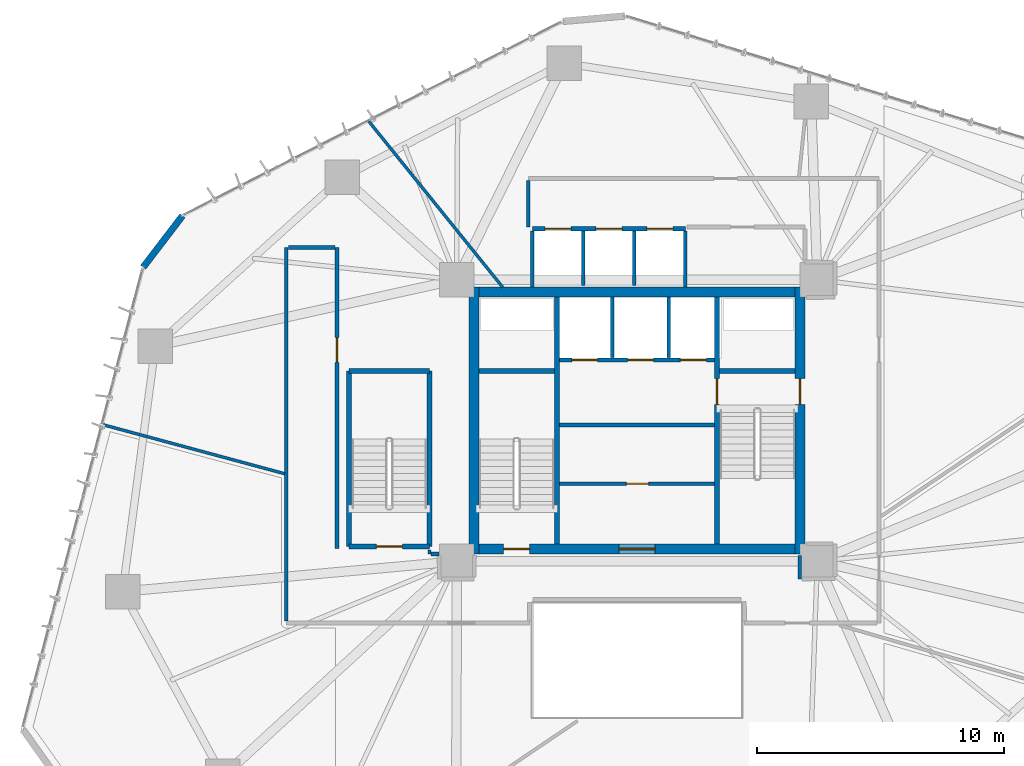
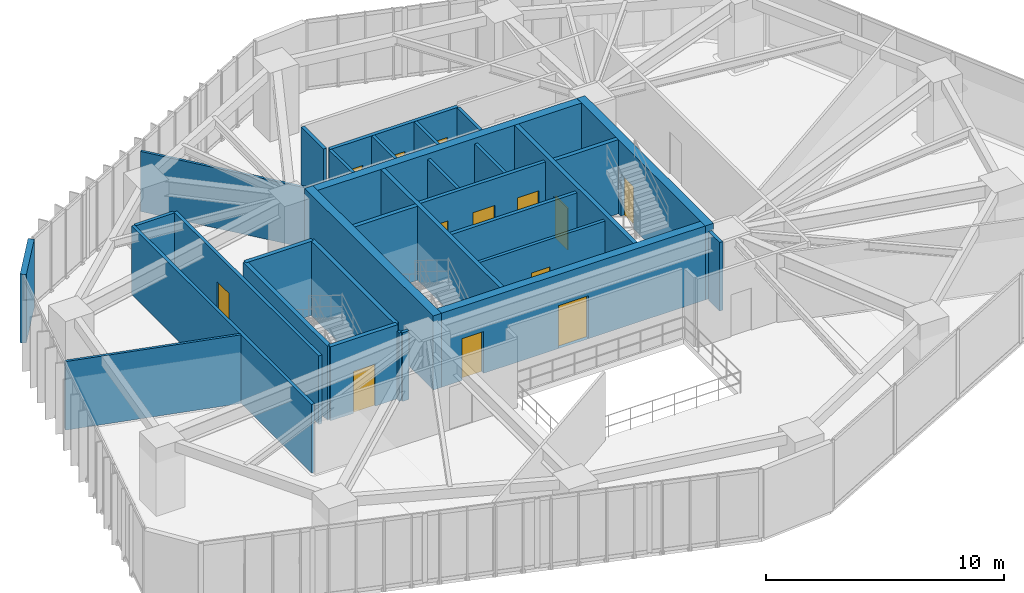
# One storey, part 19 of 24: 32 walls, 13 doors, 13 openings.
"""IFC4 building model written with IfcOpenShell, lengths in metres."""

from ifc_helpers import new_model, si_unit, direction, frame, frame_2d, origin, place, context, subcontext, project, spatial, rectangle, extrude, source, transform, mapped, material, layer, layer_set, type_object, type_shapes, element, fill, save


model = new_model("IFC4")

# Units and contexts
model_context = context("Model", 3, precision=1e-05, world=origin(), true_north=direction((0.0, 1.0)))
body_context = subcontext(model_context, "Body", "Model", "MODEL_VIEW")
ifc_project = project(units=[si_unit("LENGTHUNIT", "METRE"), si_unit("AREAUNIT", "SQUARE_METRE"), si_unit("VOLUMEUNIT", "CUBIC_METRE"), si_unit("PLANEANGLEUNIT", "RADIAN"), si_unit("MASSUNIT", "GRAM", prefix="KILO")], contexts=[model_context])

# Site, building, storey
site_placement = place(None, origin())
site = spatial("IfcSite", under=ifc_project, at=site_placement, CompositionType="ELEMENT")
building_placement = place(site_placement, origin())
building = spatial("IfcBuilding", under=site, at=building_placement, Name="Talar Marvaseh", CompositionType="ELEMENT")
storey_placement = place(building_placement, frame((0.0, 0.0, 39.199951171875)))
storey = spatial("IfcBuildingStorey", under=building, at=storey_placement, Name="L09", CompositionType="ELEMENT", Elevation=39.199951171875)

# Wall
ifc_material_1 = material(Name="Precast concrete C45/55", Category="concrete")
ifc_layer_1 = layer(ifc_material_1, 0.27001953125)
ifc_layer_set_1 = layer_set([ifc_layer_1], Name="Precast concrete C45/55")
wall_type_1 = type_object("IfcWallType", Name="Chamfered Hexagonal Corner Pier Wall Z1 270", PredefinedType="SOLIDWALL", material=ifc_layer_set_1)
wall_1_placement = place(storey_placement, frame((6.006103515625, 37.407470703125, 0.0), z_axis=(0.0, 0.0, 1.0), x_axis=(0.606990558112, 0.794709042582, 0.0)))
element("IfcWall", 1, at=wall_1_placement, inside=storey, type_object=wall_type_1, Name="L09 Chamfered Corner Limestone Pier 2", PredefinedType="SOLIDWALL", context=body_context, shape_type="SweptSolid", body=[
    extrude(rectangle(XDim=2.623291015625, YDim=0.27001953125, at=frame_2d((1.3115234375, 0.0))), origin(), (0.0, 0.0, 1.0), 3.52001953125),
])

# Wall, opening, door
ifc_material_2 = material(Name="Gypsum Board Partition Assembly")
ifc_layer_2 = layer(ifc_material_2, 0.155029296875)
ifc_layer_set_2 = layer_set([ifc_layer_2], Name="Gypsum Board Partition Assembly")
wall_type_2 = type_object("IfcWallType", Name="Corridor Fire-Rated Acoustic Partition 155", PredefinedType="PARTITIONING", material=ifc_layer_set_2)
wall_2_placement = place(storey_placement, frame((22.865966796875, 28.639892578125, 0.0), z_axis=(0.0, 0.0, 1.0), x_axis=(1.0, 0.0, 0.0)))
wall_2 = element("IfcWall", 2, at=wall_2_placement, inside=storey, type_object=wall_type_2, Name="L09 Core BOH Partition", PredefinedType="PARTITIONING", context=body_context, shape_type="SweptSolid", body=[
    extrude(rectangle(XDim=6.26806640625, YDim=0.155029296875, at=frame_2d((3.134033203125, 0.0))), origin(), (0.0, 0.0, 1.0), 3.52001953125),
])
opening_1_placement = place(wall_2_placement, frame((2.699951171875, 0.0, 0.0)))
opening_1 = element("IfcOpeningElement", 3, at=opening_1_placement, cuts=wall_2, Name="Opening DR-BOH090", PredefinedType="OPENING", context=body_context, shape_type="SweptSolid", body=[
    extrude(rectangle(XDim=0.89990234375, YDim=2.10009765625, at=frame_2d((0.449951171875, 1.050048828125))), frame((0.0, 0.08740234375, 0.0), z_axis=(0.0, -1.0, 0.0), x_axis=(1.0, 0.0, 0.0)), (0.0, 0.0, 1.0), 0.175048828125),
])
ifc_material_3 = material(Name="Fire-Rated Steel Door Leaf", Category="steel")
door_type_1 = type_object("IfcDoorType", Name="Core Back-of-House Service Door 900x2100", OperationType="NOTDEFINED", PredefinedType="DOOR", material=ifc_material_3)
shared_shape_1 = source(origin(), body_context, "Body", "SweptSolid", [
    extrude(rectangle(XDim=0.89990234375, YDim=2.10009765625, at=frame_2d((0.449951171875, 1.050048828125))), frame((0.0, 0.02490234375, 0.0), z_axis=(0.0, -1.0, 0.0), x_axis=(1.0, 0.0, 0.0)), (0.0, 0.0, 1.0), 0.050048828125),
])
type_shapes(door_type_1, [shared_shape_1])
door_1_placement = place(opening_1_placement, origin())
door_1 = element("IfcDoor", 4, at=door_1_placement, inside=storey, type_object=door_type_1, Name="L09 Store Core Central Archive Door", OperationType="SINGLE_SWING_LEFT", OverallHeight=2.10009765625, OverallWidth=0.89990234375, PredefinedType="DOOR", context=body_context, shape_type="MappedRepresentation", body=[
    mapped(shared_shape_1, transform((0.0, 0.0, 0.0), x_axis=(1.0, 0.0, 0.0), y_axis=(0.0, 1.0, 0.0), z_axis=(0.0, 0.0, 1.0), scale=1.0)),
])
fill(opening_1, door_1)

wall_3_placement = place(storey_placement, frame((13.85009765625, 38.199951171875, 0.0), z_axis=(0.0, 0.0, 1.0), x_axis=(0.0, -1.0, 0.0)))
wall_3 = element("IfcWall", 5, at=wall_3_placement, inside=storey, type_object=wall_type_2, Name="L09 Interior Partition Wall", PredefinedType="PARTITIONING", context=body_context, shape_type="SweptSolid", body=[
    extrude(rectangle(XDim=12.179931640625, YDim=0.155029296875, at=frame_2d((6.08984375, 0.0))), origin(), (0.0, 0.0, 1.0), 3.52001953125),
])
opening_2_placement = place(wall_3_placement, frame((3.644287109375, 0.0, 0.0)))
opening_2 = element("IfcOpeningElement", 6, at=opening_2_placement, cuts=wall_3, Name="Opening DR-RM100", PredefinedType="OPENING", context=body_context, shape_type="SweptSolid", body=[
    extrude(rectangle(XDim=1.0, YDim=2.14990234375, at=frame_2d((0.5, 1.074951171875))), frame((0.0, 0.08740234375, 0.0), z_axis=(0.0, -1.0, 0.0), x_axis=(1.0, 0.0, 0.0)), (0.0, 0.0, 1.0), 0.175048828125),
])
ifc_material_4 = material(Name="Acoustic Engineered Oak Timber", Category="wood")
door_type_2 = type_object("IfcDoorType", Name="Corridor Fire-Rated Gallery Door 1000x2150", OperationType="NOTDEFINED", PredefinedType="DOOR", material=ifc_material_4)
shared_shape_2 = source(origin(), body_context, "Body", "SweptSolid", [
    extrude(rectangle(XDim=1.0, YDim=2.14990234375, at=frame_2d((0.5, 1.074951171875))), frame((0.0, 0.02490234375, 0.0), z_axis=(0.0, -1.0, 0.0), x_axis=(1.0, 0.0, 0.0)), (0.0, 0.0, 1.0), 0.050048828125),
])
type_shapes(door_type_2, [shared_shape_2])
door_2_placement = place(opening_2_placement, origin())
door_2 = element("IfcDoor", 7, at=door_2_placement, inside=storey, type_object=door_type_2, Name="L09 Chamber Recital Salon Door", OperationType="SINGLE_SWING_RIGHT", OverallHeight=2.14990234375, OverallWidth=1.0, PredefinedType="DOOR", context=body_context, shape_type="MappedRepresentation", body=[
    mapped(shared_shape_2, transform((0.0, 0.0, 0.0), x_axis=(1.0, 0.0, 0.0), y_axis=(0.0, 1.0, 0.0), z_axis=(0.0, 0.0, 1.0), scale=1.0)),
])
fill(opening_2, door_2)

# Walls
wall_4_placement = place(storey_placement, frame((11.800048828125, 23.08349609375, 0.0), z_axis=(0.0, 0.0, 1.0), x_axis=(0.0, 1.0, 0.0)))
element("IfcWall", 8, at=wall_4_placement, inside=storey, type_object=wall_type_2, Name="L09 Interior Partition Wall", PredefinedType="PARTITIONING", context=body_context, shape_type="SweptSolid", body=[
    extrude(rectangle(XDim=15.116455078125, YDim=0.155029296875, at=frame_2d((7.55810546875, 0.0))), origin(), (0.0, 0.0, 1.0), 3.52001953125),
])
wall_5_placement = place(storey_placement, frame((11.883544921875, 38.199951171875, 0.0), z_axis=(0.0, 0.0, 1.0), x_axis=(1.0, 0.0, 0.0)))
element("IfcWall", 9, at=wall_5_placement, inside=storey, type_object=wall_type_2, Name="L09 Interior Partition Wall", PredefinedType="PARTITIONING", context=body_context, shape_type="SweptSolid", body=[
    extrude(rectangle(XDim=1.883056640625, YDim=0.155029296875, at=frame_2d((0.94140625, 0.0))), origin(), (0.0, 0.0, 1.0), 3.52001953125),
])
wall_6_placement = place(storey_placement, frame((17.666015625, 25.800048828125, 0.0), z_axis=(0.0, 0.0, 1.0), x_axis=(1.0, 0.0, 0.0)))
element("IfcWall", 10, at=wall_6_placement, inside=storey, type_object=wall_type_2, Name="L09 Interior Partition Wall", PredefinedType="PARTITIONING", context=body_context, shape_type="SweptSolid", body=[
    extrude(rectangle(XDim=0.319091796875, YDim=0.155029296875, at=frame_2d((0.15966796875, 0.0))), origin(), (0.0, 0.0, 1.0), 3.52001953125),
])
wall_7_placement = place(storey_placement, frame((32.5849609375, 25.72998046875, 0.0), z_axis=(0.0, 0.0, 1.0), x_axis=(0.007253695172, -0.999973691607, 0.0)))
element("IfcWall", 11, at=wall_7_placement, inside=storey, type_object=wall_type_2, Name="L09 Interior Partition Wall", PredefinedType="PARTITIONING", context=body_context, shape_type="SweptSolid", body=[
    extrude(rectangle(XDim=0.9423828125, YDim=0.155029296875, at=frame_2d((0.47119140625, 0.0))), origin(), (0.0, 0.0, 1.0), 3.52001953125),
])
wall_8_placement = place(storey_placement, frame((21.60009765625, 39.0400390625, 0.0), z_axis=(0.0, 0.0, 1.0), x_axis=(0.0, 1.0, 0.0)))
element("IfcWall", 12, at=wall_8_placement, inside=storey, type_object=wall_type_2, Name="L09 Interior Partition Wall", PredefinedType="PARTITIONING", context=body_context, shape_type="SweptSolid", body=[
    extrude(rectangle(XDim=1.87646484375, YDim=0.155029296875, at=frame_2d((0.938232421875, 0.0))), origin(), (0.0, 0.0, 1.0), 3.52001953125),
])
ifc_layer_3 = layer(ifc_material_2, 0.1201171875)
ifc_layer_set_3 = layer_set([ifc_layer_3], Name="Gypsum Board Partition Assembly")
wall_type_3 = type_object("IfcWallType", Name="Demountable Studio Room Partition 120", PredefinedType="PARTITIONING", material=ifc_layer_set_3)
wall_9_placement = place(storey_placement, frame((17.60009765625, 25.96240234375, 0.0), z_axis=(0.0, 0.0, 1.0), x_axis=(0.0, -1.0, 0.0)))
element("IfcWall", 13, at=wall_9_placement, inside=storey, type_object=wall_type_3, Name="L09 Interior Partition Wall", PredefinedType="PARTITIONING", context=body_context, shape_type="SweptSolid", body=[
    extrude(rectangle(XDim=0.1748046875, YDim=0.1201171875, at=frame_2d((0.08740234375, 0.0))), origin(), (0.0, 0.0, 1.0), 3.52001953125),
])
wall_10_placement = place(storey_placement, frame((4.361083984375, 31.03564453125, 0.0), z_axis=(0.0, 0.0, 1.0), x_axis=(0.965521586937, -0.260323001595, 0.0)))
element("IfcWall", 14, at=wall_10_placement, inside=storey, type_object=wall_type_3, Name="L09 Interior Partition Wall", PredefinedType="PARTITIONING", context=body_context, shape_type="SweptSolid", body=[
    extrude(rectangle(XDim=7.6396484375, YDim=0.1201171875, at=frame_2d((3.81982421875, 0.0))), origin(), (0.0, 0.0, 1.0), 3.52001953125),
])
wall_11_placement = place(storey_placement, frame((20.56005859375, 36.60009765625, 0.0), z_axis=(0.0, 0.0, 1.0), x_axis=(-0.628001552562, 0.778212085475, 0.0)))
element("IfcWall", 15, at=wall_11_placement, inside=storey, type_object=wall_type_3, Name="L09 Interior Partition Wall", PredefinedType="PARTITIONING", context=body_context, shape_type="SweptSolid", body=[
    extrude(rectangle(XDim=8.638671875, YDim=0.1201171875, at=frame_2d((4.3193359375, 0.0))), origin(), (0.0, 0.0, 1.0), 3.08203125),
])
ifc_layer_4 = layer(ifc_material_1, 0.14501953125)
ifc_layer_set_4 = layer_set([ifc_layer_4], Name="Precast concrete C45/55")
wall_type_4 = type_object("IfcWallType", Name="Fire-Rated Lift Divider Wall 145", PredefinedType="SOLIDWALL", material=ifc_layer_set_4)
for number, where, z_axis, x_axis, name in (
    (16, (25.0, 33.743408203125, 0.0), (0.0, 0.0, 1.0), (0.0, 1.0, 0.0), "L09 FFL-1/FFL-2 Divider"),
    (17, (27.280029296875, 33.743408203125, 0.0), (0.0, 0.0, 1.0), (0.0, 1.0, 0.0), "L09 FFL-2/SVL-1 Divider"),
):
    element("IfcWall", number, at=place(storey_placement, frame(where, z_axis=z_axis, x_axis=x_axis)), inside=storey, type_object=wall_type_4, Name=name, PredefinedType="SOLIDWALL", context=body_context, shape_type="SweptSolid", body=[
        extrude(rectangle(XDim=2.45654296875, YDim=0.14501953125, at=frame_2d((1.228271484375, 0.0))), origin(), (0.0, 0.0, 1.0), 3.52001953125),
    ])
for number, where, z_axis, x_axis, name in (
    (18, (21.760009765625, 36.60009765625, 0.0), (0.0, 0.0, 1.0), (0.0, 1.0, 0.0), "L09 Low-Rise Bank West Wall"),
    (19, (27.9599609375, 36.60009765625, 0.0), (0.0, 0.0, 1.0), (0.0, 1.0, 0.0), "L09 Low-Rise Bank East Wall"),
):
    element("IfcWall", number, at=place(storey_placement, frame(where, z_axis=z_axis, x_axis=x_axis)), inside=storey, type_object=wall_type_4, Name=name, PredefinedType="SOLIDWALL", context=body_context, shape_type="SweptSolid", body=[
        extrude(rectangle(XDim=2.266357421875, YDim=0.14501953125, at=frame_2d((1.13330078125, 0.0))), origin(), (0.0, 0.0, 1.0), 3.52001953125),
    ])
for number, where, z_axis, x_axis, name in (
    (20, (23.830078125, 36.659912109375, 0.0), (0.0, 0.0, 1.0), (0.0, 1.0, 0.0), "L09 PL-L1/PL-L2 Divider"),
    (21, (25.889892578125, 36.659912109375, 0.0), (0.0, 0.0, 1.0), (0.0, 1.0, 0.0), "L09 PL-L2/PL-L3 Divider"),
):
    element("IfcWall", number, at=place(storey_placement, frame(where, z_axis=z_axis, x_axis=x_axis)), inside=storey, type_object=wall_type_4, Name=name, PredefinedType="SOLIDWALL", context=body_context, shape_type="SweptSolid", body=[
        extrude(rectangle(XDim=2.20654296875, YDim=0.14501953125, at=frame_2d((1.103271484375, 0.0))), origin(), (0.0, 0.0, 1.0), 3.52001953125),
    ])

# Wall, openings, doors
ifc_layer_5 = layer(ifc_material_1, 0.175048828125)
ifc_layer_set_5 = layer_set([ifc_layer_5], Name="Precast concrete C45/55")
wall_type_5 = type_object("IfcWallType", Name="Fire-Rated Lift Hoistway Enclosure Wall 175", PredefinedType="SOLIDWALL", material=ifc_layer_set_5)
wall_12_placement = place(storey_placement, frame((22.860107421875, 33.64990234375, 0.0), z_axis=(0.0, 0.0, 1.0), x_axis=(1.0, 0.0, 0.0)))
wall_12 = element("IfcWall", 22, at=wall_12_placement, inside=storey, type_object=wall_type_5, Name="L09 Firefighting and Service Lift Front Wall", PredefinedType="SOLIDWALL", context=body_context, shape_type="SweptSolid", body=[
    extrude(rectangle(XDim=6.27978515625, YDim=0.175048828125, at=frame_2d((3.139892578125, 0.0))), origin(), (0.0, 0.0, 1.0), 3.52001953125),
])
opening_3_placement = place(wall_12_placement, frame((0.5, 0.0, 0.0)))
opening_3 = element("IfcOpeningElement", 23, at=opening_3_placement, cuts=wall_12, Name="Opening LD-FF1", PredefinedType="OPENING", context=body_context, shape_type="SweptSolid", body=[
    extrude(rectangle(XDim=1.050048828125, YDim=2.14990234375, at=frame_2d((0.52490234375, 1.074951171875))), frame((0.0, 0.09765625, 0.0), z_axis=(0.0, -1.0, 0.0), x_axis=(1.0, 0.0, 0.0)), (0.0, 0.0, 1.0), 0.195068359375),
])
opening_4_placement = place(wall_12_placement, frame((2.760009765625, 0.0, 0.0)))
opening_4 = element("IfcOpeningElement", 24, at=opening_4_placement, cuts=wall_12, Name="Opening LD-FF2", PredefinedType="OPENING", context=body_context, shape_type="SweptSolid", body=[
    extrude(rectangle(XDim=1.050048828125, YDim=2.14990234375, at=frame_2d((0.52490234375, 1.074951171875))), frame((0.0, 0.09765625, 0.0), z_axis=(0.0, -1.0, 0.0), x_axis=(1.0, 0.0, 0.0)), (0.0, 0.0, 1.0), 0.195068359375),
])
opening_5_placement = place(wall_12_placement, frame((4.89990234375, 0.0, 0.0)))
opening_5 = element("IfcOpeningElement", 25, at=opening_5_placement, cuts=wall_12, Name="Opening LD-SV1", PredefinedType="OPENING", context=body_context, shape_type="SweptSolid", body=[
    extrude(rectangle(XDim=1.050048828125, YDim=2.14990234375, at=frame_2d((0.52490234375, 1.074951171875))), frame((0.0, 0.09765625, 0.0), z_axis=(0.0, -1.0, 0.0), x_axis=(1.0, 0.0, 0.0)), (0.0, 0.0, 1.0), 0.195068359375),
])
ifc_material_5 = material(Name="Stainless Steel Grade 316", Category="steel")
door_type_3 = type_object("IfcDoorType", Name="Automatic Sliding Lift Landing Door 1050x2150", OperationType="NOTDEFINED", PredefinedType="DOOR", material=ifc_material_5)
shared_shape_3 = source(origin(), body_context, "Body", "SweptSolid", [
    extrude(rectangle(XDim=1.050048828125, YDim=2.14990234375, at=frame_2d((0.52490234375, 1.074951171875))), frame((0.0, 0.02490234375, 0.0), z_axis=(0.0, -1.0, 0.0), x_axis=(1.0, 0.0, 0.0)), (0.0, 0.0, 1.0), 0.050048828125),
])
type_shapes(door_type_3, [shared_shape_3])
door_3_placement = place(opening_3_placement, origin())
door_3 = element("IfcDoor", 26, at=door_3_placement, inside=storey, type_object=door_type_3, Name="L09 Lift FFL-1 Sliding Landing Door", OperationType="SLIDING_TO_LEFT", OverallHeight=2.14990234375, OverallWidth=1.050048828125, PredefinedType="DOOR", context=body_context, shape_type="MappedRepresentation", body=[
    mapped(shared_shape_3, transform((0.0, 0.0, 0.0), x_axis=(1.0, 0.0, 0.0), y_axis=(0.0, 1.0, 0.0), z_axis=(0.0, 0.0, 1.0), scale=1.0)),
])
fill(opening_3, door_3)
door_4_placement = place(opening_4_placement, origin())
door_4 = element("IfcDoor", 27, at=door_4_placement, inside=storey, type_object=door_type_3, Name="L09 Lift FFL-2 Sliding Landing Door", OperationType="SLIDING_TO_LEFT", OverallHeight=2.14990234375, OverallWidth=1.050048828125, PredefinedType="DOOR", context=body_context, shape_type="MappedRepresentation", body=[
    mapped(shared_shape_3, transform((0.0, 0.0, 0.0), x_axis=(1.0, 0.0, 0.0), y_axis=(0.0, 1.0, 0.0), z_axis=(0.0, 0.0, 1.0), scale=1.0)),
])
fill(opening_4, door_4)
door_5_placement = place(opening_5_placement, origin())
door_5 = element("IfcDoor", 28, at=door_5_placement, inside=storey, type_object=door_type_3, Name="L09 Lift SVL-1 Sliding Landing Door", OperationType="SLIDING_TO_LEFT", OverallHeight=2.14990234375, OverallWidth=1.050048828125, PredefinedType="DOOR", context=body_context, shape_type="MappedRepresentation", body=[
    mapped(shared_shape_3, transform((0.0, 0.0, 0.0), x_axis=(1.0, 0.0, 0.0), y_axis=(0.0, 1.0, 0.0), z_axis=(0.0, 0.0, 1.0), scale=1.0)),
])
fill(opening_5, door_5)

# Wall
wall_13_placement = place(storey_placement, frame((22.860107421875, 31.02001953125, 0.0), z_axis=(0.0, 0.0, 1.0), x_axis=(1.0, 0.0, 0.0)))
element("IfcWall", 29, at=wall_13_placement, inside=storey, type_object=wall_type_5, Name="L09 Firefighting Lobby South Smoke Wall", PredefinedType="SOLIDWALL", context=body_context, shape_type="SweptSolid", body=[
    extrude(rectangle(XDim=6.27978515625, YDim=0.175048828125, at=frame_2d((3.139892578125, 0.0))), origin(), (0.0, 0.0, 1.0), 3.52001953125),
])

# Wall, openings, doors
wall_14_placement = place(storey_placement, frame((21.760009765625, 38.9599609375, 0.0), z_axis=(0.0, 0.0, 1.0), x_axis=(1.0, 0.0, 0.0)))
wall_14 = element("IfcWall", 30, at=wall_14_placement, inside=storey, type_object=wall_type_5, Name="L09 Low-Rise Lift Bank Front Wall", PredefinedType="SOLIDWALL", context=body_context, shape_type="SweptSolid", body=[
    extrude(rectangle(XDim=6.199951171875, YDim=0.175048828125, at=frame_2d((3.10009765625, 0.0))), origin(), (0.0, 0.0, 1.0), 3.52001953125),
])
opening_6_placement = place(wall_14_placement, frame((0.52001953125, 0.0, 0.0)))
opening_6 = element("IfcOpeningElement", 31, at=opening_6_placement, cuts=wall_14, Name="Opening LD-PLL1", PredefinedType="OPENING", context=body_context, shape_type="SweptSolid", body=[
    extrude(rectangle(XDim=1.050048828125, YDim=2.14990234375, at=frame_2d((0.52490234375, 1.074951171875))), frame((0.0, 0.09765625, 0.0), z_axis=(0.0, -1.0, 0.0), x_axis=(1.0, 0.0, 0.0)), (0.0, 0.0, 1.0), 0.195068359375),
])
opening_7_placement = place(wall_14_placement, frame((2.580078125, 0.0, 0.0)))
opening_7 = element("IfcOpeningElement", 32, at=opening_7_placement, cuts=wall_14, Name="Opening LD-PLL2", PredefinedType="OPENING", context=body_context, shape_type="SweptSolid", body=[
    extrude(rectangle(XDim=1.050048828125, YDim=2.14990234375, at=frame_2d((0.52490234375, 1.074951171875))), frame((0.0, 0.09765625, 0.0), z_axis=(0.0, -1.0, 0.0), x_axis=(1.0, 0.0, 0.0)), (0.0, 0.0, 1.0), 0.195068359375),
])
opening_8_placement = place(wall_14_placement, frame((4.639892578125, 0.0, 0.0)))
opening_8 = element("IfcOpeningElement", 33, at=opening_8_placement, cuts=wall_14, Name="Opening LD-PLL3", PredefinedType="OPENING", context=body_context, shape_type="SweptSolid", body=[
    extrude(rectangle(XDim=1.050048828125, YDim=2.14990234375, at=frame_2d((0.52490234375, 1.074951171875))), frame((0.0, 0.09765625, 0.0), z_axis=(0.0, -1.0, 0.0), x_axis=(1.0, 0.0, 0.0)), (0.0, 0.0, 1.0), 0.195068359375),
])
door_6_placement = place(opening_6_placement, origin())
door_6 = element("IfcDoor", 34, at=door_6_placement, inside=storey, type_object=door_type_3, Name="L09 Lift PL-L1 Sliding Landing Door", OperationType="SLIDING_TO_LEFT", OverallHeight=2.14990234375, OverallWidth=1.050048828125, PredefinedType="DOOR", context=body_context, shape_type="MappedRepresentation", body=[
    mapped(shared_shape_3, transform((0.0, 0.0, 0.0), x_axis=(1.0, 0.0, 0.0), y_axis=(0.0, 1.0, 0.0), z_axis=(0.0, 0.0, 1.0), scale=1.0)),
])
fill(opening_6, door_6)
door_7_placement = place(opening_7_placement, origin())
door_7 = element("IfcDoor", 35, at=door_7_placement, inside=storey, type_object=door_type_3, Name="L09 Lift PL-L2 Sliding Landing Door", OperationType="SLIDING_TO_LEFT", OverallHeight=2.14990234375, OverallWidth=1.050048828125, PredefinedType="DOOR", context=body_context, shape_type="MappedRepresentation", body=[
    mapped(shared_shape_3, transform((0.0, 0.0, 0.0), x_axis=(1.0, 0.0, 0.0), y_axis=(0.0, 1.0, 0.0), z_axis=(0.0, 0.0, 1.0), scale=1.0)),
])
fill(opening_7, door_7)
door_8_placement = place(opening_8_placement, origin())
door_8 = element("IfcDoor", 36, at=door_8_placement, inside=storey, type_object=door_type_3, Name="L09 Lift PL-L3 Sliding Landing Door", OperationType="SLIDING_TO_LEFT", OverallHeight=2.14990234375, OverallWidth=1.050048828125, PredefinedType="DOOR", context=body_context, shape_type="MappedRepresentation", body=[
    mapped(shared_shape_3, transform((0.0, 0.0, 0.0), x_axis=(1.0, 0.0, 0.0), y_axis=(0.0, 1.0, 0.0), z_axis=(0.0, 0.0, 1.0), scale=1.0)),
])
fill(opening_8, door_8)

# Wall
ifc_material_6 = material(Name="Concrete C70/85", Category="concrete")
ifc_layer_6 = layer(ifc_material_6, 0.39990234375)
ifc_layer_set_6 = layer_set([ifc_layer_6], Name="Concrete C70/85")
wall_type_6 = type_object("IfcWallType", Name="Lower Core Reinforced Concrete Shear Wall 400", PredefinedType="SHEAR", material=ifc_layer_set_6)
wall_15_placement = place(storey_placement, frame((19.39990234375, 25.800048828125, 0.0), z_axis=(0.0, 0.0, 1.0), x_axis=(0.0, 1.0, 0.0)))
element("IfcWall", 37, at=wall_15_placement, inside=storey, type_object=wall_type_6, Name="L09 West Core Shear Wall", PredefinedType="SHEAR", context=body_context, shape_type="SweptSolid", body=[
    extrude(rectangle(XDim=10.800048828125, YDim=0.39990234375, at=frame_2d((5.39990234375, 0.0))), origin(), (0.0, 0.0, 1.0), 3.800048828125),
])

# Wall, opening, door
wall_16_placement = place(storey_placement, frame((32.60009765625, 36.60009765625, 0.0), z_axis=(0.0, 0.0, 1.0), x_axis=(0.0, -1.0, 0.0)))
wall_16 = element("IfcWall", 38, at=wall_16_placement, inside=storey, type_object=wall_type_6, Name="L09 East Core Shear Wall", PredefinedType="SHEAR", context=body_context, shape_type="SweptSolid", body=[
    extrude(rectangle(XDim=10.800048828125, YDim=0.39990234375, at=frame_2d((5.39990234375, 0.0))), origin(), (0.0, 0.0, 1.0), 3.800048828125),
])
opening_9_placement = place(wall_16_placement, frame((3.699951171875, 0.0, 0.0)))
opening_9 = element("IfcOpeningElement", 39, at=opening_9_placement, cuts=wall_16, Name="Opening DR-ST105", PredefinedType="OPENING", context=body_context, shape_type="SweptSolid", body=[
    extrude(rectangle(XDim=1.050048828125, YDim=2.14990234375, at=frame_2d((0.52490234375, 1.074951171875))), frame((0.0, 0.2099609375, 0.0), z_axis=(0.0, -1.0, 0.0), x_axis=(1.0, 0.0, 0.0)), (0.0, 0.0, 1.0), 0.419921875),
])
door_type_4 = type_object("IfcDoorType", Name="Protected Exit Stair Fire Door 1050x2150", OperationType="NOTDEFINED", PredefinedType="DOOR", material=ifc_material_3)
shared_shape_4 = source(origin(), body_context, "Body", "SweptSolid", [
    extrude(rectangle(XDim=1.050048828125, YDim=2.14990234375, at=frame_2d((0.52490234375, 1.074951171875))), frame((0.0, 0.02490234375, 0.0), z_axis=(0.0, -1.0, 0.0), x_axis=(1.0, 0.0, 0.0)), (0.0, 0.0, 1.0), 0.050048828125),
])
type_shapes(door_type_4, [shared_shape_4])
door_9_placement = place(opening_9_placement, origin())
door_9 = element("IfcDoor", 40, at=door_9_placement, inside=storey, type_object=door_type_4, Name="L09 Stair ST-2 Corridor Exit Door", OperationType="SINGLE_SWING_LEFT", OverallHeight=2.14990234375, OverallWidth=1.050048828125, PredefinedType="DOOR", context=body_context, shape_type="MappedRepresentation", body=[
    mapped(shared_shape_4, transform((0.0, 0.0, 0.0), x_axis=(1.0, 0.0, 0.0), y_axis=(0.0, 1.0, 0.0), z_axis=(0.0, 0.0, 1.0), scale=1.0)),
])
fill(opening_9, door_9)

# Wall
wall_17_placement = place(storey_placement, frame((19.60009765625, 36.39990234375, 0.0), z_axis=(0.0, 0.0, 1.0), x_axis=(1.0, 0.0, 0.0)))
element("IfcWall", 41, at=wall_17_placement, inside=storey, type_object=wall_type_6, Name="L09 North Core Shear Wall", PredefinedType="SHEAR", context=body_context, shape_type="SweptSolid", body=[
    extrude(rectangle(XDim=12.7998046875, YDim=0.39990234375, at=frame_2d((6.39990234375, 0.0))), origin(), (0.0, 0.0, 1.0), 3.800048828125),
])

# Wall, openings, doors
wall_18_placement = place(storey_placement, frame((32.39990234375, 26.0, 0.0), z_axis=(0.0, 0.0, 1.0), x_axis=(-1.0, 0.0, 0.0)))
wall_18 = element("IfcWall", 42, at=wall_18_placement, inside=storey, type_object=wall_type_6, Name="L09 South Core Shear Wall", PredefinedType="SHEAR", context=body_context, shape_type="SweptSolid", body=[
    extrude(rectangle(XDim=12.7998046875, YDim=0.39990234375, at=frame_2d((6.39990234375, 0.0))), origin(), (0.0, 0.0, 1.0), 3.800048828125),
])
opening_10_placement = place(wall_18_placement, frame((10.75, 0.0, 0.0)))
opening_10 = element("IfcOpeningElement", 43, at=opening_10_placement, cuts=wall_18, Name="Opening DR-ST105", PredefinedType="OPENING", context=body_context, shape_type="SweptSolid", body=[
    extrude(rectangle(XDim=1.050048828125, YDim=2.14990234375, at=frame_2d((0.52490234375, 1.074951171875))), frame((0.0, 0.2099609375, 0.0), z_axis=(0.0, -1.0, 0.0), x_axis=(1.0, 0.0, 0.0)), (0.0, 0.0, 1.0), 0.419921875),
])
opening_11_placement = place(wall_18_placement, frame((5.669921875, 0.0, 0.0)))
opening_11 = element("IfcOpeningElement", 44, at=opening_11_placement, cuts=wall_18, Name="Opening DR-LBY145", PredefinedType="OPENING", context=body_context, shape_type="SweptSolid", body=[
    extrude(rectangle(XDim=1.449951171875, YDim=2.199951171875, at=frame_2d((0.72509765625, 1.10009765625))), frame((0.0, 0.2099609375, 0.0), z_axis=(0.0, -1.0, 0.0), x_axis=(1.0, 0.0, 0.0)), (0.0, 0.0, 1.0), 0.419921875),
])
door_10_placement = place(opening_10_placement, origin())
door_10 = element("IfcDoor", 45, at=door_10_placement, inside=storey, type_object=door_type_4, Name="L09 Stair ST-1 Exit Door", OperationType="SINGLE_SWING_RIGHT", OverallHeight=2.14990234375, OverallWidth=1.050048828125, PredefinedType="DOOR", context=body_context, shape_type="MappedRepresentation", body=[
    mapped(shared_shape_4, transform((0.0, 0.0, 0.0), x_axis=(1.0, 0.0, 0.0), y_axis=(0.0, 1.0, 0.0), z_axis=(0.0, 0.0, 1.0), scale=1.0)),
])
fill(opening_10, door_10)
door_type_5 = type_object("IfcDoorType", Name="Core Lift Lobby Double Smoke Door 1450x2200", OperationType="NOTDEFINED", PredefinedType="DOOR", material=ifc_material_3)
shared_shape_5 = source(origin(), body_context, "Body", "SweptSolid", [
    extrude(rectangle(XDim=1.449951171875, YDim=2.199951171875, at=frame_2d((0.72509765625, 1.10009765625))), frame((0.0, 0.02490234375, 0.0), z_axis=(0.0, -1.0, 0.0), x_axis=(1.0, 0.0, 0.0)), (0.0, 0.0, 1.0), 0.050048828125),
])
type_shapes(door_type_5, [shared_shape_5])
door_11_placement = place(opening_11_placement, origin())
door_11 = element("IfcDoor", 46, at=door_11_placement, inside=storey, type_object=door_type_5, Name="L09 Passenger Lift Lobby Entrance Door", OperationType="DOUBLE_DOOR_SINGLE_SWING", OverallHeight=2.199951171875, OverallWidth=1.449951171875, PredefinedType="DOOR", context=body_context, shape_type="MappedRepresentation", body=[
    mapped(shared_shape_5, transform((0.0, 0.0, 0.0), x_axis=(1.0, 0.0, 0.0), y_axis=(0.0, 1.0, 0.0), z_axis=(0.0, 0.0, 1.0), scale=1.0)),
])
fill(opening_11, door_11)

# Wall
ifc_material_7 = material(Name="Concrete C50/60", Category="concrete")
ifc_layer_7 = layer(ifc_material_7, 0.199951171875)
ifc_layer_set_7 = layer_set([ifc_layer_7], Name="Concrete C50/60")
wall_type_7 = type_object("IfcWallType", Name="Stair Shaft Structural Concrete Shear Wall 200", PredefinedType="SHEAR", material=ifc_layer_set_7)
wall_19_placement = place(storey_placement, frame((22.760009765625, 26.199951171875, 0.0), z_axis=(0.0, 0.0, 1.0), x_axis=(0.0, 1.0, 0.0)))
element("IfcWall", 47, at=wall_19_placement, inside=storey, type_object=wall_type_7, Name="L09 Core West Stair Shear Wall", PredefinedType="SHEAR", context=body_context, shape_type="SweptSolid", body=[
    extrude(rectangle(XDim=10.0, YDim=0.199951171875, at=frame_2d((5.0, 0.0))), origin(), (0.0, 0.0, 1.0), 3.800048828125),
])

# Wall, opening, door
wall_20_placement = place(storey_placement, frame((29.239990234375, 26.199951171875, 0.0), z_axis=(0.0, 0.0, 1.0), x_axis=(0.0, 1.0, 0.0)))
wall_20 = element("IfcWall", 48, at=wall_20_placement, inside=storey, type_object=wall_type_7, Name="L09 Core East Stair Shear Wall", PredefinedType="SHEAR", context=body_context, shape_type="SweptSolid", body=[
    extrude(rectangle(XDim=10.0, YDim=0.199951171875, at=frame_2d((5.0, 0.0))), origin(), (0.0, 0.0, 1.0), 3.800048828125),
])
opening_12_placement = place(wall_20_placement, frame((5.64990234375, 0.0, 0.0)))
opening_12 = element("IfcOpeningElement", 49, at=opening_12_placement, cuts=wall_20, Name="Opening DR-ST105", PredefinedType="OPENING", context=body_context, shape_type="SweptSolid", body=[
    extrude(rectangle(XDim=1.050048828125, YDim=2.14990234375, at=frame_2d((0.52490234375, 1.074951171875))), frame((0.0, 0.10986328125, 0.0), z_axis=(0.0, -1.0, 0.0), x_axis=(1.0, 0.0, 0.0)), (0.0, 0.0, 1.0), 0.219970703125),
])
door_12_placement = place(opening_12_placement, origin())
door_12 = element("IfcDoor", 50, at=door_12_placement, inside=storey, type_object=door_type_4, Name="L09 Firefighting Lobby to Stair ST-2 Door", OperationType="SINGLE_SWING_LEFT", OverallHeight=2.14990234375, OverallWidth=1.050048828125, PredefinedType="DOOR", context=body_context, shape_type="MappedRepresentation", body=[
    mapped(shared_shape_4, transform((0.0, 0.0, 0.0), x_axis=(1.0, 0.0, 0.0), y_axis=(0.0, 1.0, 0.0), z_axis=(0.0, 0.0, 1.0), scale=1.0)),
])
fill(opening_12, door_12)

# Walls
for number, where, z_axis, x_axis, name in (
    (51, (19.60009765625, 33.199951171875, 0.0), (0.0, 0.0, 1.0), (1.0, 0.0, 0.0), "L09 Stair ST-1 North Shear Wall"),
    (52, (29.340087890625, 33.199951171875, 0.0), (0.0, 0.0, 1.0), (1.0, 0.0, 0.0), "L09 Stair ST-2 North Shear Wall"),
):
    element("IfcWall", number, at=place(storey_placement, frame(where, z_axis=z_axis, x_axis=x_axis)), inside=storey, type_object=wall_type_7, Name=name, PredefinedType="SHEAR", context=body_context, shape_type="SweptSolid", body=[
        extrude(rectangle(XDim=3.059814453125, YDim=0.199951171875, at=frame_2d((1.52978515625, 0.0))), origin(), (0.0, 0.0, 1.0), 3.800048828125),
    ])

# Wall, opening, door
wall_21_placement = place(storey_placement, frame((17.60009765625, 26.10009765625, 0.0), z_axis=(0.0, 0.0, 1.0), x_axis=(-1.0, 0.0, 0.0)))
wall_21 = element("IfcWall", 53, at=wall_21_placement, inside=storey, type_object=wall_type_7, Name="L09 Stair ST-3 South Shear Wall", PredefinedType="SHEAR", context=body_context, shape_type="SweptSolid", body=[
    extrude(rectangle(XDim=3.260009765625, YDim=0.199951171875, at=frame_2d((1.6298828125, 0.0))), origin(), (0.0, 0.0, 1.0), 3.800048828125),
])
opening_13_placement = place(wall_21_placement, frame((1.10009765625, 0.0, 0.0)))
opening_13 = element("IfcOpeningElement", 54, at=opening_13_placement, cuts=wall_21, Name="Opening DR-ST105", PredefinedType="OPENING", context=body_context, shape_type="SweptSolid", body=[
    extrude(rectangle(XDim=1.050048828125, YDim=2.14990234375, at=frame_2d((0.52490234375, 1.074951171875))), frame((0.0, 0.10986328125, 0.0), z_axis=(0.0, -1.0, 0.0), x_axis=(1.0, 0.0, 0.0)), (0.0, 0.0, 1.0), 0.219970703125),
])
door_13_placement = place(opening_13_placement, origin())
door_13 = element("IfcDoor", 55, at=door_13_placement, inside=storey, type_object=door_type_4, Name="L09 Stair ST-3 Exit Door", OperationType="SINGLE_SWING_LEFT", OverallHeight=2.14990234375, OverallWidth=1.050048828125, PredefinedType="DOOR", context=body_context, shape_type="MappedRepresentation", body=[
    mapped(shared_shape_4, transform((0.0, 0.0, 0.0), x_axis=(1.0, 0.0, 0.0), y_axis=(0.0, 1.0, 0.0), z_axis=(0.0, 0.0, 1.0), scale=1.0)),
])
fill(opening_13, door_13)

# Walls
wall_22_placement = place(storey_placement, frame((14.340087890625, 33.199951171875, 0.0), z_axis=(0.0, 0.0, 1.0), x_axis=(1.0, 0.0, 0.0)))
element("IfcWall", 56, at=wall_22_placement, inside=storey, type_object=wall_type_7, Name="L09 Stair ST-3 North Shear Wall", PredefinedType="SHEAR", context=body_context, shape_type="SweptSolid", body=[
    extrude(rectangle(XDim=3.260009765625, YDim=0.199951171875, at=frame_2d((1.6298828125, 0.0))), origin(), (0.0, 0.0, 1.0), 3.800048828125),
])
for number, where, z_axis, x_axis, name in (
    (57, (14.340087890625, 26.10009765625, 0.0), (0.0, 0.0, 1.0), (0.0, 1.0, 0.0), "L09 Stair ST-3 West Shear Wall"),
    (58, (17.60009765625, 26.10009765625, 0.0), (0.0, 0.0, 1.0), (0.0, 1.0, 0.0), "L09 Stair ST-3 East Shear Wall"),
):
    element("IfcWall", number, at=place(storey_placement, frame(where, z_axis=z_axis, x_axis=x_axis)), inside=storey, type_object=wall_type_7, Name=name, PredefinedType="SHEAR", context=body_context, shape_type="SweptSolid", body=[
        extrude(rectangle(XDim=7.099853515625, YDim=0.199951171875, at=frame_2d((3.5498046875, 0.0))), origin(), (0.0, 0.0, 1.0), 3.800048828125),
    ])

save(model, "model.ifc")
